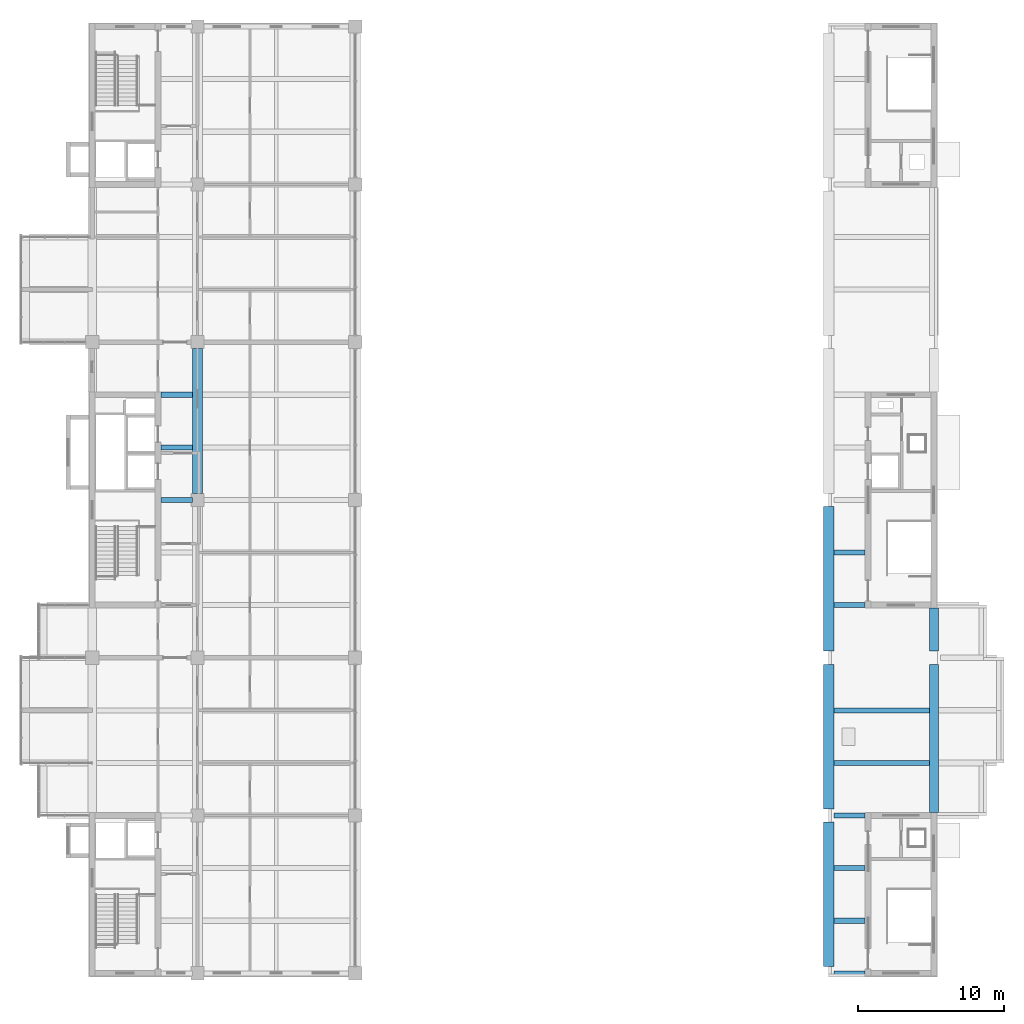
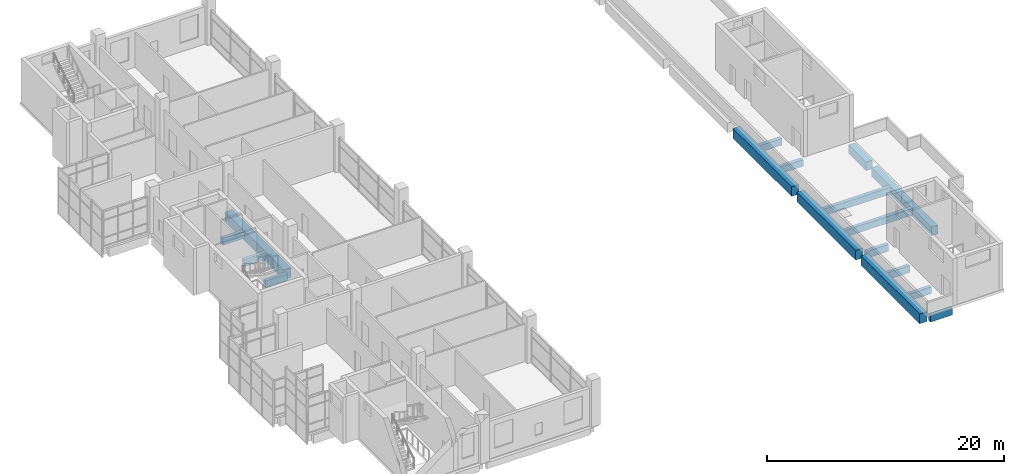
# One storey, part 6 of 23: 17 beams.
"""IFC4 building model written with IfcOpenShell, lengths in metres."""

from ifc_helpers import new_model, si_unit, direction, frame, origin, origin_2d, place, context, subcontext, project, spatial, rectangle, extrude, material, material_profile, profile_set, type_object, element, save


model = new_model("IFC4")

# Units and contexts
model_context = context("Model", 3, precision=1e-05, world=origin(), true_north=direction((0.0, 1.0)))
body_context = subcontext(model_context, "Body", "Model", "MODEL_VIEW")
ifc_project = project(units=[si_unit("LENGTHUNIT", "METRE"), si_unit("AREAUNIT", "SQUARE_METRE"), si_unit("VOLUMEUNIT", "CUBIC_METRE"), si_unit("PLANEANGLEUNIT", "RADIAN"), si_unit("MASSUNIT", "GRAM", prefix="KILO")], contexts=[model_context])

# Site, building, storey
site_placement = place(None, origin())
site = spatial("IfcSite", under=ifc_project, at=site_placement, CompositionType="ELEMENT")
building_placement = place(site_placement, origin())
building = spatial("IfcBuilding", under=site, at=building_placement, Name="Basin Gate Institute", CompositionType="ELEMENT")
storey_placement = place(building_placement, frame((0.0, 0.0, 46.199951171875)))
storey = spatial("IfcBuildingStorey", under=building, at=storey_placement, Name="L09", CompositionType="ELEMENT", Elevation=46.199951171875)

# Beams
ifc_material_1 = material(Name="Concrete 40 MPa", Category="concrete")
ifc_material_profile_1 = material_profile(ifc_material_1, rectangle(XDim=0.35009765625, YDim=0.699951171875, at=origin_2d()), Name="Beam B1 350 x 700")
ifc_profile_set_1 = profile_set([ifc_material_profile_1], Name="Concrete 40 MPa")
beam_type_1 = type_object("IfcBeamType", Name="Beam B1 R120", PredefinedType="BEAM", material=ifc_profile_set_1)
for number, where, z_axis, x_axis, name in (
    (1, (65.89990234375, 67.5, -0.599853515625), (1.0, 0.0, 0.0), (0.0, 1.0, 0.0), "BEAM/L09/W/CORR/10"),
    (2, (65.89990234375, 71.10009765625, -0.599853515625), (1.0, 0.0, 0.0), (0.0, 1.0, 0.0), "BEAM/L09/W/CORR/11"),
    (3, (65.89990234375, 74.699951171875, -0.599853515625), (1.0, 0.0, 0.0), (0.0, 1.0, 0.0), "BEAM/L09/W/CORR/12"),
    (4, (114.10009765625, 35.10009765625, -0.599853515625), (-1.0, 0.0, 0.0), (0.0, -1.0, 0.0), "BEAM/L09/E/CORR/01"),
    (5, (114.10009765625, 38.699951171875, -0.599853515625), (-1.0, 0.0, 0.0), (0.0, -1.0, 0.0), "BEAM/L09/E/CORR/02"),
    (6, (114.10009765625, 42.300048828125, -0.599853515625), (-1.0, 0.0, 0.0), (0.0, -1.0, 0.0), "BEAM/L09/E/CORR/03"),
    (7, (114.10009765625, 45.89990234375, -0.599853515625), (-1.0, 0.0, 0.0), (0.0, -1.0, 0.0), "BEAM/L09/E/CORR/04"),
):
    element("IfcBeam", number, at=place(storey_placement, frame(where, z_axis=z_axis, x_axis=x_axis)), inside=storey, type_object=beam_type_1, material=ifc_profile_set_1, Name=name, PredefinedType="BEAM", context=body_context, shape_type="SweptSolid", body=[
        extrude(rectangle(XDim=0.35009765625, YDim=0.699951171875, at=origin_2d()), origin(), (0.0, 0.0, 1.0), 2.150146484375),
    ])
for number, where, z_axis, x_axis, name in (
    (8, (118.5, 49.5, -0.599853515625), (-1.0, 0.0, 0.0), (0.0, -1.0, 0.0), "BEAM/L09/E/OUT/05"),
    (9, (118.5, 53.10009765625, -0.599853515625), (-1.0, 0.0, 0.0), (0.0, -1.0, 0.0), "BEAM/L09/E/OUT/06"),
):
    element("IfcBeam", number, at=place(storey_placement, frame(where, z_axis=z_axis, x_axis=x_axis)), inside=storey, type_object=beam_type_1, material=ifc_profile_set_1, Name=name, PredefinedType="BEAM", context=body_context, shape_type="SweptSolid", body=[
        extrude(rectangle(XDim=0.35009765625, YDim=0.699951171875, at=origin_2d()), origin(), (0.0, 0.0, 1.0), 6.550048828125),
    ])
for number, where, z_axis, x_axis, name in (
    (10, (114.10009765625, 60.300048828125, -0.599853515625), (-1.0, 0.0, 0.0), (0.0, -1.0, 0.0), "BEAM/L09/E/CORR/08"),
    (11, (114.10009765625, 63.89990234375, -0.599853515625), (-1.0, 0.0, 0.0), (0.0, -1.0, 0.0), "BEAM/L09/E/CORR/09"),
):
    element("IfcBeam", number, at=place(storey_placement, frame(where, z_axis=z_axis, x_axis=x_axis)), inside=storey, type_object=beam_type_1, material=ifc_profile_set_1, Name=name, PredefinedType="BEAM", context=body_context, shape_type="SweptSolid", body=[
        extrude(rectangle(XDim=0.35009765625, YDim=0.699951171875, at=origin_2d()), origin(), (0.0, 0.0, 1.0), 2.150146484375),
    ])
ifc_material_2 = material(Name="Concrete 50 MPa", Category="concrete")
ifc_material_profile_2 = material_profile(ifc_material_2, rectangle(XDim=0.60009765625, YDim=0.89990234375, at=origin_2d()), Name="Edge beam EB1 600 x 900")
ifc_profile_set_2 = profile_set([ifc_material_profile_2], Name="Concrete 50 MPa")
beam_type_2 = type_object("IfcBeamType", Name="Edge beam EB1 R120", PredefinedType="SPANDREL", material=ifc_profile_set_2)
beam_1_placement = place(storey_placement, frame((118.800048828125, 46.10009765625, -0.699951171875), z_axis=(0.0, 1.0, 0.0), x_axis=(-1.0, 0.0, 0.0)))
element("IfcBeam", 12, at=beam_1_placement, inside=storey, type_object=beam_type_2, material=ifc_profile_set_2, Name="BEAM/L09/E/EDGE/1", PredefinedType="SPANDREL", context=body_context, shape_type="SweptSolid", body=[
    extrude(rectangle(XDim=0.60009765625, YDim=0.89990234375, at=origin_2d()), origin(), (0.0, 0.0, 1.0), 10.14990234375),
])
ifc_material_3 = material(Name="Concrete 50 MPa", Category="concrete")
ifc_material_profile_3 = material_profile(ifc_material_3, rectangle(XDim=0.60009765625, YDim=0.89990234375, at=origin_2d()), Name="Edge return beam EB3 600 x 900")
ifc_profile_set_3 = profile_set([ifc_material_profile_3], Name="Concrete 50 MPa")
beam_type_3 = type_object("IfcBeamType", Name="Edge return beam EB3 R120", PredefinedType="SPANDREL", material=ifc_profile_set_3)
beam_2_placement = place(storey_placement, frame((118.800048828125, 57.14990234375, -0.699951171875), z_axis=(0.0, 1.0, 0.0), x_axis=(-1.0, 0.0, 0.0)))
element("IfcBeam", 13, at=beam_2_placement, inside=storey, type_object=beam_type_3, material=ifc_profile_set_3, Name="BEAM/L09/E/EDGE/2", PredefinedType="SPANDREL", context=body_context, shape_type="SweptSolid", body=[
    extrude(rectangle(XDim=0.60009765625, YDim=0.89990234375, at=origin_2d()), origin(), (0.0, 0.0, 1.0), 2.9501953125),
])
ifc_material_4 = material(Name="Concrete 50 MPa", Category="concrete")
ifc_material_profile_4 = material_profile(ifc_material_4, rectangle(XDim=0.699951171875, YDim=1.0, at=origin_2d()), Name="Girder G1 700 x 1000")
ifc_profile_set_4 = profile_set([ifc_material_profile_4], Name="Concrete 50 MPa")
beam_type_4 = type_object("IfcBeamType", Name="Girder G1 R120", PredefinedType="BEAM", material=ifc_profile_set_4)
beam_3_placement = place(storey_placement, frame((68.39990234375, 67.949951171875, -0.75), z_axis=(0.0, 1.0, 0.0), x_axis=(-1.0, 0.0, 0.0)))
element("IfcBeam", 14, at=beam_3_placement, inside=storey, type_object=beam_type_4, material=ifc_profile_set_4, Name="GIR/L09/W5/4", PredefinedType="BEAM", context=body_context, shape_type="SweptSolid", body=[
    extrude(rectangle(XDim=0.699951171875, YDim=1.0, at=origin_2d()), origin(), (0.0, 0.0, 1.0), 9.900146484375),
])
for number, where, z_axis, x_axis, name in (
    (15, (111.60009765625, 35.550048828125, -0.75), (0.0, 1.0, 0.0), (-1.0, 0.0, 0.0), "GIR/L09/E8/1"),
    (16, (111.60009765625, 46.35009765625, -0.75), (0.0, 1.0, 0.0), (-1.0, 0.0, 0.0), "GIR/L09/E8/2"),
):
    element("IfcBeam", number, at=place(storey_placement, frame(where, z_axis=z_axis, x_axis=x_axis)), inside=storey, type_object=beam_type_4, material=ifc_profile_set_4, Name=name, PredefinedType="BEAM", context=body_context, shape_type="SweptSolid", body=[
        extrude(rectangle(XDim=0.699951171875, YDim=1.0, at=origin_2d()), origin(), (0.0, 0.0, 1.0), 9.89990234375),
    ])
beam_4_placement = place(storey_placement, frame((111.60009765625, 57.14990234375, -0.75), z_axis=(0.0, 1.0, 0.0), x_axis=(-1.0, 0.0, 0.0)))
element("IfcBeam", 17, at=beam_4_placement, inside=storey, type_object=beam_type_4, material=ifc_profile_set_4, Name="GIR/L09/E8/3", PredefinedType="BEAM", context=body_context, shape_type="SweptSolid", body=[
    extrude(rectangle(XDim=0.699951171875, YDim=1.0, at=origin_2d()), origin(), (0.0, 0.0, 1.0), 9.900146484375),
])

save(model, "model.ifc")
